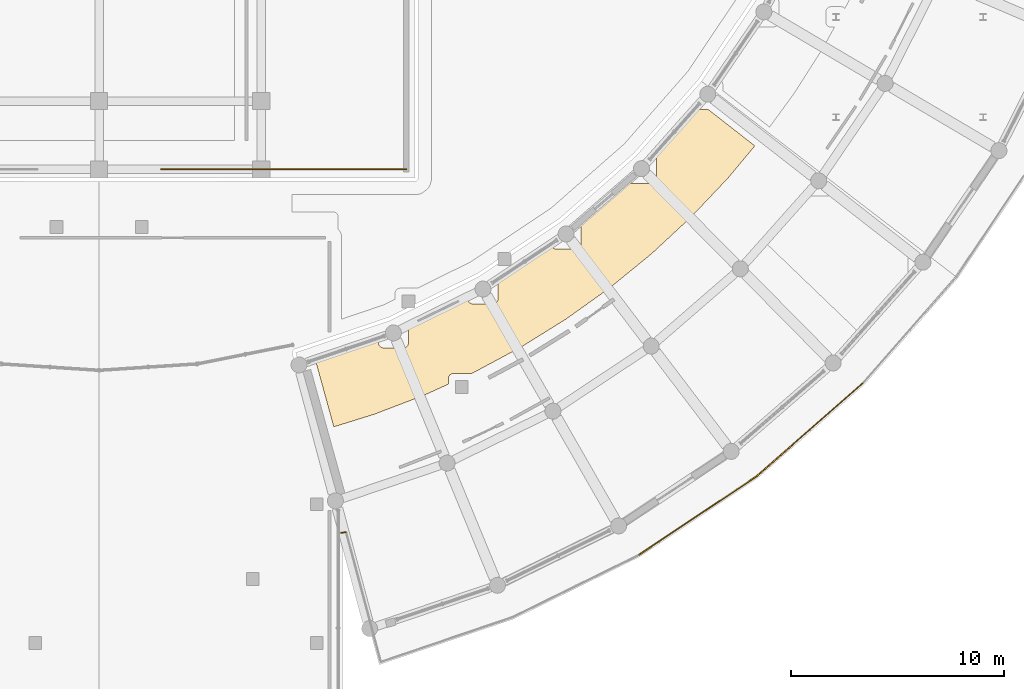
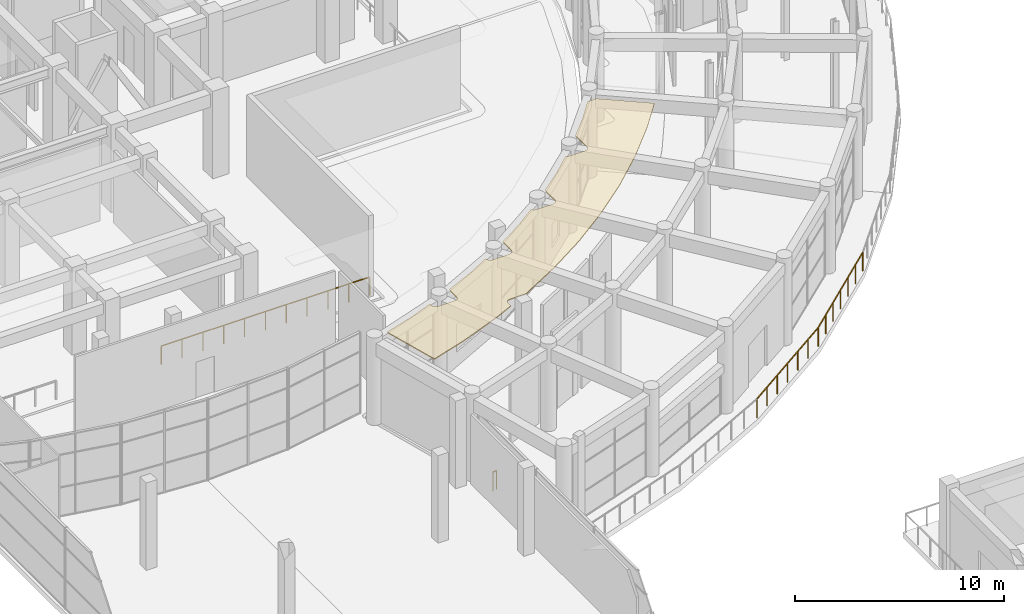
# One storey, part 85 of 99: 4 railings, 1 covering.
"""IFC4 building model written with IfcOpenShell, lengths in metres."""

import ifcopenshell
import ifcopenshell.guid

model = None  # the IFC model being written
_history = None  # IfcOwnerHistory: only IFC2X3 demands one
_inside = {}  # id of a spatial element -> (the spatial element, [elements in it])
_under = {}  # id of a project, library or spatial element -> (it, [spatial elements below it])
_declared = {}  # id of a project -> (the project, [libraries it declares])
_typed = {}  # id of a type object -> (the type object, [elements of that type])
_made_of = {}  # id of a material, layer set ... -> (it, [elements and type objects made of it])


def new_model(schema):
    """Start an empty IFC model of exactly this schema.

    Asked for "IFC4X3", IfcOpenShell would pick the latest addendum, in which some entities
    have other attributes; the version numbers below select the first issue.
    IFC2X3 requires an IfcOwnerHistory on every rooted entity: one is made here for all.
    """
    global model, _history
    if schema == "IFC4X3":
        model = ifcopenshell.file(schema_version=(4, 3, 0, 0))
    else:
        model = ifcopenshell.file(schema=schema)
    _inside.clear()
    _under.clear()
    _declared.clear()
    _typed.clear()
    _made_of.clear()
    _history = None
    if model.schema == "IFC2X3":
        org = make("IfcOrganization", Name="unknown")
        user = make(
            "IfcPersonAndOrganization",
            ThePerson=make("IfcPerson", FamilyName="unknown"),
            TheOrganization=org,
        )
        app = make(
            "IfcApplication",
            ApplicationDeveloper=org,
            Version="unknown",
            ApplicationFullName="unknown",
            ApplicationIdentifier="unknown",
        )
        _history = make(
            "IfcOwnerHistory",
            OwningUser=user,
            OwningApplication=app,
            ChangeAction="ADDED",
            CreationDate=0,
        )
    return model


def make(cls, **values):
    """One entity of the class cls with the attributes given. An attribute that is None is left unset."""
    return model.create_entity(
        cls, **{name: value for name, value in values.items() if value is not None}
    )


def rooted(cls, **values):
    """An entity with a GlobalId (a new one), such as an element, a storey or a relation."""
    return make(cls, GlobalId=ifcopenshell.guid.new(), OwnerHistory=_history, **values)


def si_unit(unit_type, name, prefix=None):
    """IfcSIUnit, for example si_unit("LENGTHUNIT", "METRE", prefix="MILLI")."""
    return make("IfcSIUnit", UnitType=unit_type, Prefix=prefix, Name=name)


def assignment(units):
    """IfcUnitAssignment: the units of a project."""
    return None if units is None else make("IfcUnitAssignment", Units=units)


def point(xyz):
    """IfcCartesianPoint."""
    return None if xyz is None else make("IfcCartesianPoint", Coordinates=xyz)


def direction(xyz):
    """IfcDirection."""
    return None if xyz is None else make("IfcDirection", DirectionRatios=xyz)


def frame(location, z_axis=None, x_axis=None):
    """IfcAxis2Placement3D, a coordinate frame: its origin and axes. An axis left out is left unset."""
    return make(
        "IfcAxis2Placement3D",
        Location=point(location),
        Axis=direction(z_axis),
        RefDirection=direction(x_axis),
    )


def frame_2d(location, x_axis=None):
    """IfcAxis2Placement2D, a coordinate frame in the plane: its origin and x axis."""
    return make(
        "IfcAxis2Placement2D", Location=point(location), RefDirection=direction(x_axis)
    )


def origin():
    """The frame at (0, 0, 0) with its axes left unset."""
    return frame((0.0, 0.0, 0.0))


def origin_2d():
    """The frame at (0, 0) in the plane with its x axis left unset."""
    return frame_2d((0.0, 0.0))


def place(relative_to, where):
    """IfcLocalPlacement: puts the frame where relative to a parent placement (None: the world)."""
    return make(
        "IfcLocalPlacement", PlacementRelTo=relative_to, RelativePlacement=where
    )


def context(
    kind, dimensions, precision=None, world=None, true_north=None, identifier=None
):
    """IfcGeometricRepresentationContext, for example the 3D "Model" context."""
    return make(
        "IfcGeometricRepresentationContext",
        ContextIdentifier=identifier,
        ContextType=kind,
        CoordinateSpaceDimension=dimensions,
        Precision=precision,
        WorldCoordinateSystem=world,
        TrueNorth=true_north,
    )


def subcontext(parent, identifier, kind, view, scale=None):
    """IfcGeometricRepresentationSubContext, for example "Body" below "Model"."""
    return make(
        "IfcGeometricRepresentationSubContext",
        ContextIdentifier=identifier,
        ContextType=kind,
        ParentContext=parent,
        TargetScale=scale,
        TargetView=view,
    )


def project(units=None, contexts=None):
    """IfcProject with its units and contexts."""
    return rooted(
        "IfcProject",
        Name="project",
        RepresentationContexts=contexts,
        UnitsInContext=assignment(units),
    )


def spatial(cls, under=None, at=None, **own):
    """A site, building, storey or space (cls), placed at a placement, below another one or the project."""
    s = rooted(cls, ObjectPlacement=at, **own)
    if under is not None:
        _under.setdefault(under.id(), (under, []))[1].append(s)
    return s


def polyline(points):
    """IfcPolyline through the points."""
    return make("IfcPolyline", Points=[point(p) for p in points])


def profile(cls, at=None, kind="AREA", **sizes):
    """A parametric profile (cls). Its sizes go by their IFC names, for example OverallWidth=200.0."""
    return make(cls, ProfileType=kind, Position=at, **sizes)


def rectangle(**sizes):
    """IfcRectangleProfileDef."""
    return profile("IfcRectangleProfileDef", **sizes)


def outline(outer, holes=None, kind="AREA"):
    """IfcArbitraryClosedProfileDef: a profile drawn as a closed curve; with holes, ...WithVoids."""
    if holes is None:
        return make("IfcArbitraryClosedProfileDef", ProfileType=kind, OuterCurve=outer)
    return make(
        "IfcArbitraryProfileDefWithVoids",
        ProfileType=kind,
        OuterCurve=outer,
        InnerCurves=holes,
    )


def extrude(swept, where, along, depth):
    """IfcExtrudedAreaSolid: the profile swept, set in the frame where, extruded along a direction by depth."""
    return make(
        "IfcExtrudedAreaSolid",
        SweptArea=swept,
        Position=where,
        ExtrudedDirection=direction(along),
        Depth=depth,
    )


def shape(context_of_items, identifier, shape_type, items):
    """IfcShapeRepresentation: the items that make up one representation, for example the "Body"."""
    return make(
        "IfcShapeRepresentation",
        ContextOfItems=context_of_items,
        RepresentationIdentifier=identifier,
        RepresentationType=shape_type,
        Items=items,
    )


def material(Name=None, Category=None):
    """IfcMaterial."""
    return make("IfcMaterial", Name=Name, Category=Category)


def layer(
    of_material, thickness, ventilated=None, Name=None, Category=None, Priority=None
):
    """IfcMaterialLayer: one layer of a wall or slab, of a material (None: an air gap)."""
    return make(
        "IfcMaterialLayer",
        Material=of_material,
        LayerThickness=thickness,
        IsVentilated=ventilated,
        Name=Name,
        Category=Category,
        Priority=Priority,
    )


def layer_set(layers, Name=None):
    """IfcMaterialLayerSet."""
    return make("IfcMaterialLayerSet", MaterialLayers=layers, LayerSetName=Name)


def made_of(thing, what):
    """Note that an element or type object is made of a material, layer set ...; save() writes the relation."""
    if what is not None:
        _made_of.setdefault(what.id(), (what, []))[1].append(thing)
    return thing


def type_object(cls, material=None, **own):
    """A type object (cls), such as IfcWallType, which elements share."""
    return made_of(rooted(cls, **own), material)


def element(
    cls,
    number,
    at=None,
    inside=None,
    cuts=None,
    type_object=None,
    material=None,
    context=None,
    identifier="Body",
    shape_type=None,
    held_by="IfcProductDefinitionShape",
    body=None,
    shapes=None,
    **own,
):
    """One element of the class cls, such as IfcWall. Its Tag is "e" and its number.

    at: its placement. inside: the storey or other place that contains it. cuts: it is an
    opening in that element (IfcRelVoidsElement). A single representation is given by context,
    identifier, shape_type and body (its items); several are given by shapes. held_by: the class
    of the entity that holds the representations. save() writes the other relations.
    """
    e = rooted(cls, Tag="e%d" % number, ObjectPlacement=at, **own)
    if body is not None:
        shapes = [shape(context, identifier, shape_type, body)]
    if shapes is not None:
        e.Representation = make(held_by, Representations=shapes)
    if inside is not None:
        _inside.setdefault(inside.id(), (inside, []))[1].append(e)
    if cuts is not None:
        rooted(
            "IfcRelVoidsElement", RelatingBuildingElement=cuts, RelatedOpeningElement=e
        )
    if type_object is not None:
        _typed.setdefault(type_object.id(), (type_object, []))[1].append(e)
    return made_of(e, material)


def aggregate(whole, parts):
    """IfcRelAggregates: a whole, such as a stair, and the parts it consists of."""
    return rooted("IfcRelAggregates", RelatingObject=whole, RelatedObjects=parts)


def save(model, path):
    """Write the relations noted so far, then the file.

    IfcRelAggregates (storeys below a building ...), IfcRelContainedInSpatialStructure (elements
    in a storey), IfcRelDefinesByType, IfcRelAssociatesMaterial and IfcRelDeclares: one each for
    every whole, place, type object, material and project.
    """
    for whole, parts in _under.values():
        aggregate(whole, parts)
    for where, things in _inside.values():
        rooted(
            "IfcRelContainedInSpatialStructure",
            RelatedElements=things,
            RelatingStructure=where,
        )
    for kind, things in _typed.values():
        rooted("IfcRelDefinesByType", RelatedObjects=things, RelatingType=kind)
    for what, things in _made_of.values():
        rooted("IfcRelAssociatesMaterial", RelatedObjects=things, RelatingMaterial=what)
    for by, libraries in _declared.values():
        rooted("IfcRelDeclares", RelatingContext=by, RelatedDefinitions=libraries)
    model.write(path)


model = new_model("IFC4")

# Units and contexts
model_context = context("Model", 3, precision=1e-05, world=origin(), true_north=direction((0.0, 1.0)))
body_context = subcontext(model_context, "Body", "Model", "MODEL_VIEW")
ifc_project = project(units=[si_unit("LENGTHUNIT", "METRE"), si_unit("AREAUNIT", "SQUARE_METRE"), si_unit("VOLUMEUNIT", "CUBIC_METRE"), si_unit("PLANEANGLEUNIT", "RADIAN"), si_unit("MASSUNIT", "GRAM", prefix="KILO")], contexts=[model_context])

# Site, building, storey
site_placement = place(None, origin())
site = spatial("IfcSite", under=ifc_project, at=site_placement, CompositionType="ELEMENT")
building_placement = place(site_placement, origin())
building = spatial("IfcBuilding", under=site, at=building_placement, Name="Saryqyr Civic Hall", CompositionType="ELEMENT")
storey_placement = place(building_placement, origin())
storey = spatial("IfcBuildingStorey", under=building, at=storey_placement, Name="L00", CompositionType="ELEMENT", Elevation=0.0)

# Covering
ifc_material_1 = material(Name="Mineral-fibre acoustic ceiling tile", Category="acoustic_tile")
ifc_layer_1 = layer(ifc_material_1, 0.06005859375, Name="Mineral-fibre acoustic ceiling tile")
ifc_layer_set_1 = layer_set([ifc_layer_1], Name="Mineral-fibre acoustic ceiling tile")
covering_type = type_object("IfcCoveringType", Name="INT-COV-CEIL-60", PredefinedType="CEILING", material=ifc_layer_set_1)
covering_placement = place(storey_placement, frame((0.0, 0.0, 4.760009765625)))
element("IfcCovering", 1, at=covering_placement, inside=storey, type_object=covering_type, Name="Acoustic ceiling Citizens' Consultation Rooms", PredefinedType="CEILING", context=body_context, shape_type="SweptSolid", body=[
    extrude(outline(polyline([(70.0927734375, 50.07763671875), (70.093994140625, 50.052978515625), (70.097412109375, 50.02880859375), (70.103515625, 50.0048828125), (70.11181640625, 49.98193359375), (70.122314453125, 49.959716796875), (70.134765625, 49.938720703125), (70.1494140625, 49.9189453125), (70.166015625, 49.90087890625), (70.18408203125, 49.88427734375), (70.203857421875, 49.86962890625), (70.224853515625, 49.857177734375), (70.2470703125, 49.8466796875), (70.27001953125, 49.83837890625), (70.2939453125, 49.83251953125), (70.318115234375, 49.828857421875), (70.3427734375, 49.82763671875), (71.252685546875, 49.82763671875), (71.277099609375, 49.828857421875), (71.301513671875, 49.83251953125), (71.3251953125, 49.83837890625), (71.348388671875, 49.8466796875), (71.37060546875, 49.857177734375), (71.3916015625, 49.86962890625), (71.411376953125, 49.88427734375), (71.429443359375, 49.90087890625), (71.446044921875, 49.9189453125), (71.460693359375, 49.938720703125), (71.47314453125, 49.959716796875), (71.483642578125, 49.98193359375), (71.491943359375, 50.0048828125), (71.497802734375, 50.02880859375), (71.50146484375, 50.052978515625), (71.502685546875, 50.07763671875), (71.502685546875, 50.77001953125), (73.10400390625, 51.50146484375), (73.135498046875, 51.51708984375), (74.291015625, 52.13720703125), (74.291015625, 52.135009765625), (74.2919921875, 52.110595703125), (74.295654296875, 52.086181640625), (74.3017578125, 52.0625), (74.309814453125, 52.039306640625), (74.3203125, 52.01708984375), (74.3330078125, 51.99609375), (74.34765625, 51.976318359375), (74.364013671875, 51.958251953125), (74.38232421875, 51.941650390625), (74.402099609375, 51.927001953125), (74.423095703125, 51.91455078125), (74.4453125, 51.904052734375), (74.46826171875, 51.895751953125), (74.4921875, 51.889892578125), (74.516357421875, 51.88623046875), (74.541015625, 51.885009765625), (75.450927734375, 51.885009765625), (75.475341796875, 51.88623046875), (75.499755859375, 51.889892578125), (75.5234375, 51.895751953125), (75.546630859375, 51.904052734375), (75.568603515625, 51.91455078125), (75.58984375, 51.927001953125), (75.609619140625, 51.941650390625), (75.627685546875, 51.958251953125), (75.644287109375, 51.976318359375), (75.65869140625, 51.99609375), (75.67138671875, 52.01708984375), (75.681884765625, 52.039306640625), (75.690185546875, 52.0625), (75.696044921875, 52.086181640625), (75.69970703125, 52.110595703125), (75.700927734375, 52.135009765625), (75.700927734375, 52.939697265625), (76.393798828125, 53.37060546875), (76.404541015625, 53.37109375), (76.4287109375, 53.374755859375), (76.45263671875, 53.380859375), (76.4755859375, 53.388916015625), (76.497802734375, 53.3994140625), (76.518798828125, 53.412109375), (76.53857421875, 53.4267578125), (76.556884765625, 53.443115234375), (76.5732421875, 53.46142578125), (76.587890625, 53.481201171875), (76.59765625, 53.49755859375), (77.115966796875, 53.81982421875), (77.145263671875, 53.83935546875), (78.2158203125, 54.604248046875), (78.218505859375, 54.598388671875), (78.231201171875, 54.577392578125), (78.24560546875, 54.5576171875), (78.26220703125, 54.53955078125), (78.280517578125, 54.52294921875), (78.300048828125, 54.50830078125), (78.3212890625, 54.495849609375), (78.34326171875, 54.4853515625), (78.366455078125, 54.47705078125), (78.39013671875, 54.47119140625), (78.41455078125, 54.467529296875), (78.43896484375, 54.46630859375), (79.34912109375, 54.46630859375), (79.37353515625, 54.467529296875), (79.397705078125, 54.47119140625), (79.421630859375, 54.47705078125), (79.444580078125, 54.4853515625), (79.466796875, 54.495849609375), (79.48779296875, 54.50830078125), (79.507568359375, 54.52294921875), (79.52587890625, 54.53955078125), (79.542236328125, 54.5576171875), (79.556884765625, 54.577392578125), (79.569580078125, 54.598388671875), (79.580078125, 54.62060546875), (79.588134765625, 54.643798828125), (79.59423828125, 54.66748046875), (79.597900390625, 54.69189453125), (79.59912109375, 54.71630859375), (79.59912109375, 55.626220703125), (79.597900390625, 55.650390625), (80.7998046875, 56.630859375), (80.826416015625, 56.654052734375), (81.822265625, 57.57861328125), (81.8330078125, 57.570556640625), (81.85400390625, 57.55810546875), (81.876220703125, 57.547607421875), (81.8994140625, 57.539306640625), (81.923095703125, 57.533203125), (81.947509765625, 57.52978515625), (81.971923828125, 57.528564453125), (82.8818359375, 57.528564453125), (82.906494140625, 57.52978515625), (82.9306640625, 57.533203125), (82.95458984375, 57.539306640625), (82.9775390625, 57.547607421875), (82.999755859375, 57.55810546875), (83.020751953125, 57.570556640625), (83.04052734375, 57.585205078125), (83.05859375, 57.601806640625), (83.0751953125, 57.619873046875), (83.08984375, 57.6396484375), (83.102294921875, 57.66064453125), (83.11279296875, 57.682861328125), (83.12109375, 57.705810546875), (83.127197265625, 57.729736328125), (83.130615234375, 57.75390625), (83.1318359375, 57.778564453125), (83.1318359375, 58.6884765625), (83.130615234375, 58.712890625), (83.127197265625, 58.7373046875), (83.12109375, 58.760986328125), (83.11279296875, 58.7841796875), (83.102294921875, 58.806396484375), (83.08984375, 58.827392578125), (83.08935546875, 58.827880859375), (84.094970703125, 59.888671875), (84.118408203125, 59.9150390625), (85.042236328125, 61.023681640625), (85.05615234375, 61.021728515625), (85.080810546875, 61.0205078125), (85.545166015625, 61.0205078125), (87.7451171875, 59.30322265625), (86.483154296875, 57.7890625), (84.748779296875, 55.958984375), (82.90087890625, 54.243896484375), (80.947265625, 52.650146484375), (78.8955078125, 51.184326171875), (76.754638671875, 49.852783203125), (74.532958984375, 48.66064453125), (74.446044921875, 48.620849609375), (74.4287109375, 48.625244140625), (74.404541015625, 48.62890625), (74.3798828125, 48.6298828125), (73.6201171875, 48.6298828125), (73.595458984375, 48.62890625), (73.5712890625, 48.625244140625), (73.54736328125, 48.619140625), (73.5244140625, 48.611083984375), (73.502197265625, 48.6005859375), (73.481201171875, 48.587890625), (73.46142578125, 48.5732421875), (73.443115234375, 48.556884765625), (73.4267578125, 48.53857421875), (73.412109375, 48.518798828125), (73.3994140625, 48.497802734375), (73.388916015625, 48.4755859375), (73.380859375, 48.45263671875), (73.374755859375, 48.4287109375), (73.37109375, 48.404541015625), (73.3701171875, 48.3798828125), (73.3701171875, 48.129150390625), (72.23974609375, 47.61279296875), (69.88427734375, 46.713623046875), (68.001708984375, 46.129638671875), (67.157470703125, 49.195068359375), (68.8291015625, 49.71337890625), (68.8623046875, 49.72509765625), (70.0927734375, 50.194580078125), (70.0927734375, 50.07763671875)])), origin(), (0.0, 0.0, 1.0), 0.06005859375),
])

# Railings
ifc_material_2 = material(Name="Warm brushed brass and laminated glass", Category="glass")
ifc_layer_2 = layer(ifc_material_2, 0.06005859375, Name="Warm brushed brass and laminated glass")
ifc_layer_set_2 = layer_set([ifc_layer_2], Name="Warm brushed brass and laminated glass")
railing_type = type_object("IfcRailingType", Name="INT-RLG-BAL-1100", PredefinedType="BALUSTRADE", material=ifc_layer_set_2)
railing_1_placement = place(storey_placement, frame((59.89990234375, 58.199951171875, 0.0)))
element("IfcRailing", 2, at=railing_1_placement, inside=storey, type_object=railing_type, Name="Perimeter safety balustrade V1-JNTGB-L00-11-G01", PredefinedType="BALUSTRADE", context=body_context, shape_type="SweptSolid", body=[
    extrude(rectangle(XDim=0.048095703125, YDim=0.048095703125, at=origin_2d()), frame((0.0, 0.0, 1.076171875), z_axis=(1.0, 0.0, 0.0), x_axis=(0.0, 1.0, 0.0)), (0.0, 0.0, 1.0), 11.5),
    extrude(rectangle(XDim=0.0419921875, YDim=0.0419921875, at=origin_2d()), origin(), (0.0, 0.0, 1.0), 1.052001953125),
    extrude(rectangle(XDim=0.0419921875, YDim=0.0419921875, at=origin_2d()), frame((1.14990234375, 0.0, 0.0)), (0.0, 0.0, 1.0), 1.052001953125),
    extrude(rectangle(XDim=0.0419921875, YDim=0.0419921875, at=origin_2d()), frame((2.300048828125, 0.0, 0.0)), (0.0, 0.0, 1.0), 1.052001953125),
    extrude(rectangle(XDim=0.0419921875, YDim=0.0419921875, at=origin_2d()), frame((3.449951171875, 0.0, 0.0)), (0.0, 0.0, 1.0), 1.052001953125),
    extrude(rectangle(XDim=0.0419921875, YDim=0.0419921875, at=origin_2d()), frame((4.60009765625, 0.0, 0.0)), (0.0, 0.0, 1.0), 1.052001953125),
    extrude(rectangle(XDim=0.0419921875, YDim=0.0419921875, at=origin_2d()), frame((5.75, 0.0, 0.0)), (0.0, 0.0, 1.0), 1.052001953125),
    extrude(rectangle(XDim=0.0419921875, YDim=0.0419921875, at=origin_2d()), frame((6.89990234375, 0.0, 0.0)), (0.0, 0.0, 1.0), 1.052001953125),
    extrude(rectangle(XDim=0.0419921875, YDim=0.0419921875, at=origin_2d()), frame((8.050048828125, 0.0, 0.0)), (0.0, 0.0, 1.0), 1.052001953125),
    extrude(rectangle(XDim=0.0419921875, YDim=0.0419921875, at=origin_2d()), frame((9.199951171875, 0.0, 0.0)), (0.0, 0.0, 1.0), 1.052001953125),
    extrude(rectangle(XDim=0.0419921875, YDim=0.0419921875, at=origin_2d()), frame((10.35009765625, 0.0, 0.0)), (0.0, 0.0, 1.0), 1.052001953125),
    extrude(rectangle(XDim=0.0419921875, YDim=0.0419921875, at=origin_2d()), frame((11.5, 0.0, 0.0)), (0.0, 0.0, 1.0), 1.052001953125),
])
railing_2_placement = place(storey_placement, frame((92.814697265625, 48.185302734375, 0.0)))
element("IfcRailing", 3, at=railing_2_placement, inside=storey, type_object=railing_type, Name="Interior deck safety balustrade L00-036", PredefinedType="BALUSTRADE", context=body_context, shape_type="SweptSolid", body=[
    extrude(rectangle(XDim=0.048095703125, YDim=0.048095703125, at=origin_2d()), frame((0.0, 0.0, 1.09619140625), z_axis=(-0.751838908271, -0.659346840449, 0.0), x_axis=(0.659346840449, -0.751838908271, 0.0)), (0.0, 0.0, 1.0), 6.625244140625),
    extrude(rectangle(XDim=0.0419921875, YDim=0.0419921875, at=origin_2d()), origin(), (0.0, 0.0, 1.0), 1.072021484375),
    extrude(rectangle(XDim=0.0419921875, YDim=0.0419921875, at=origin_2d()), frame((-0.830078125, -0.72802734375, 0.0)), (0.0, 0.0, 1.0), 1.072021484375),
    extrude(rectangle(XDim=0.0419921875, YDim=0.0419921875, at=origin_2d()), frame((-1.660400390625, -1.4560546875, 0.0)), (0.0, 0.0, 1.0), 1.072021484375),
    extrude(rectangle(XDim=0.0419921875, YDim=0.0419921875, at=origin_2d()), frame((-2.49072265625, -2.18408203125, 0.0)), (0.0, 0.0, 1.0), 1.072021484375),
    extrude(rectangle(XDim=0.0419921875, YDim=0.0419921875, at=origin_2d()), frame((-3.32080078125, -2.912353515625, 0.0)), (0.0, 0.0, 1.0), 1.072021484375),
    extrude(rectangle(XDim=0.0419921875, YDim=0.0419921875, at=origin_2d()), frame((-4.15087890625, -3.640380859375, 0.0)), (0.0, 0.0, 1.0), 1.072021484375),
    extrude(rectangle(XDim=0.0419921875, YDim=0.0419921875, at=origin_2d()), frame((-4.981201171875, -4.368408203125, 0.0)), (0.0, 0.0, 1.0), 1.072021484375),
])
railing_3_placement = place(storey_placement, frame((87.83349609375, 43.81689453125, 0.0)))
element("IfcRailing", 4, at=railing_3_placement, inside=storey, type_object=railing_type, Name="Interior deck safety balustrade L00-037", PredefinedType="BALUSTRADE", context=body_context, shape_type="SweptSolid", body=[
    extrude(rectangle(XDim=0.048095703125, YDim=0.048095703125, at=origin_2d()), frame((0.0, 0.0, 1.09619140625), z_axis=(-0.831454540273, -0.555592789243, 0.0), x_axis=(0.555592789243, -0.831454540273, 0.0)), (0.0, 0.0, 1.0), 6.625244140625),
    extrude(rectangle(XDim=0.0419921875, YDim=0.0419921875, at=origin_2d()), origin(), (0.0, 0.0, 1.0), 1.072021484375),
    extrude(rectangle(XDim=0.0419921875, YDim=0.0419921875, at=origin_2d()), frame((-0.91796875, -0.613525390625, 0.0)), (0.0, 0.0, 1.0), 1.072021484375),
    extrude(rectangle(XDim=0.0419921875, YDim=0.0419921875, at=origin_2d()), frame((-1.836181640625, -1.22705078125, 0.0)), (0.0, 0.0, 1.0), 1.072021484375),
    extrude(rectangle(XDim=0.0419921875, YDim=0.0419921875, at=origin_2d()), frame((-2.75439453125, -1.84033203125, 0.0)), (0.0, 0.0, 1.0), 1.072021484375),
    extrude(rectangle(XDim=0.0419921875, YDim=0.0419921875, at=origin_2d()), frame((-3.67236328125, -2.453857421875, 0.0)), (0.0, 0.0, 1.0), 1.072021484375),
    extrude(rectangle(XDim=0.0419921875, YDim=0.0419921875, at=origin_2d()), frame((-4.59033203125, -3.0673828125, 0.0)), (0.0, 0.0, 1.0), 1.072021484375),
    extrude(rectangle(XDim=0.0419921875, YDim=0.0419921875, at=origin_2d()), frame((-5.508544921875, -3.680908203125, 0.0)), (0.0, 0.0, 1.0), 1.072021484375),
])
railing_4_placement = place(storey_placement, frame((68.57470703125, 41.189453125, 0.0)))
element("IfcRailing", 5, at=railing_4_placement, inside=storey, type_object=railing_type, Name="Interior deck safety balustrade L00-041", PredefinedType="BALUSTRADE", context=body_context, shape_type="SweptSolid", body=[
    extrude(rectangle(XDim=0.048095703125, YDim=0.048095703125, at=origin_2d()), frame((0.0, 0.0, 1.09619140625), z_axis=(-0.99140431691, -0.130833789262, 0.0), x_axis=(0.130833789262, -0.99140431691, 0.0)), (0.0, 0.0, 1.0), 0.216552734375),
    extrude(rectangle(XDim=0.0419921875, YDim=0.0419921875, at=origin_2d()), origin(), (0.0, 0.0, 1.0), 1.072021484375),
    extrude(rectangle(XDim=0.0419921875, YDim=0.0419921875, at=origin_2d()), frame((-0.214599609375, -0.0283203125, 0.0)), (0.0, 0.0, 1.0), 1.072021484375),
])

save(model, "model.ifc")
